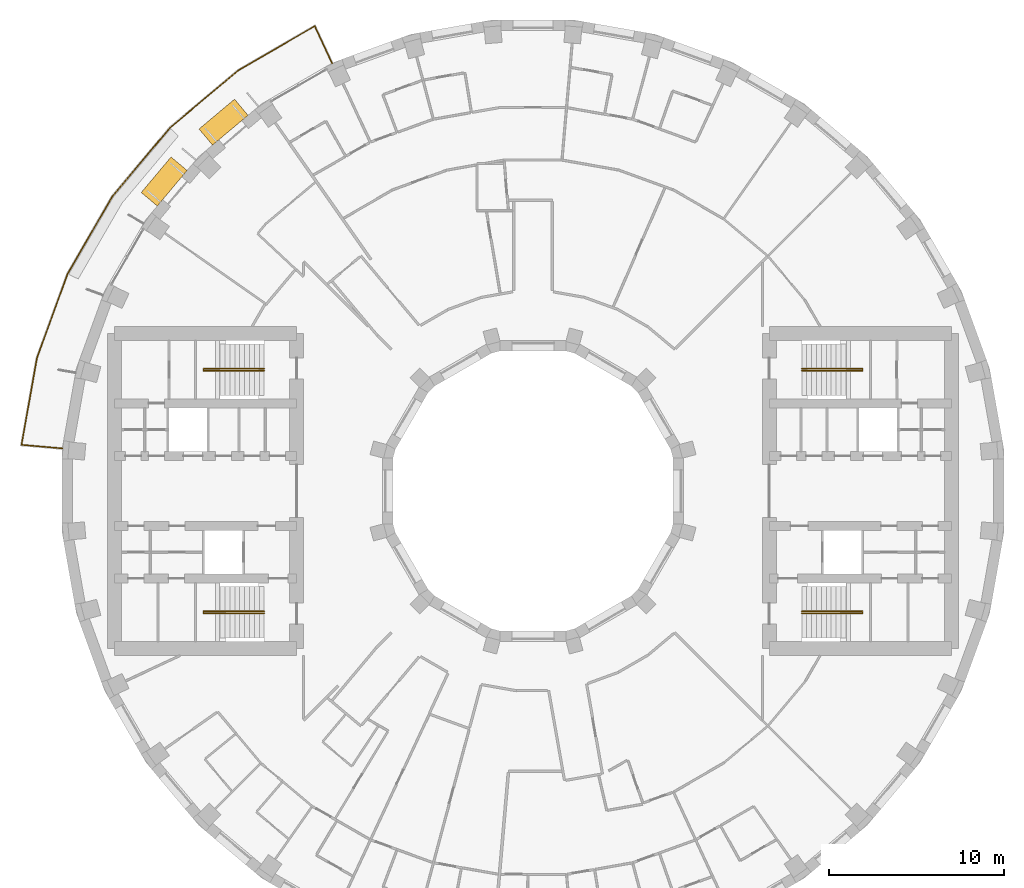
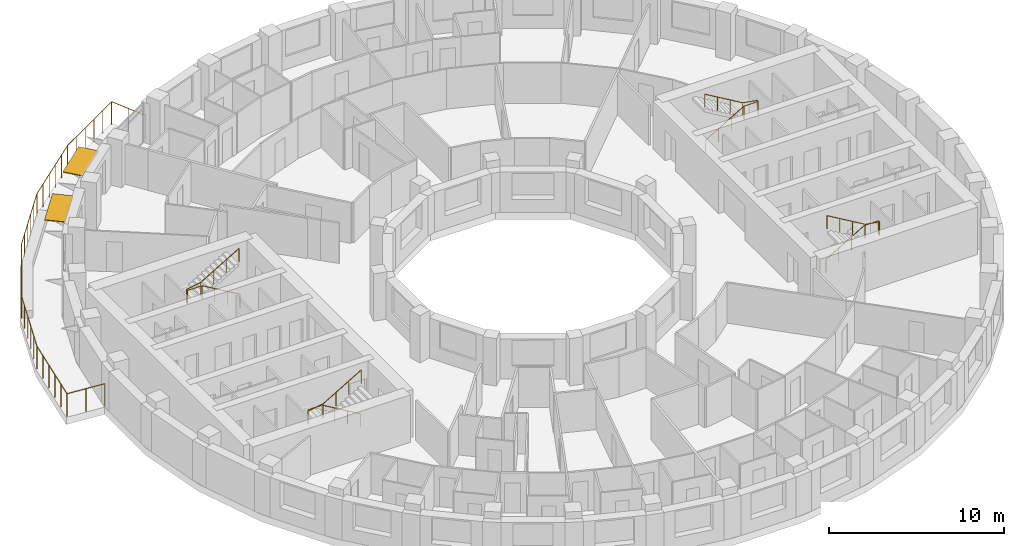
# One storey, part 14 of 14: 5 railings, 2 shading devices.
"""IFC4 building model written with IfcOpenShell, lengths in metres."""

from ifc_helpers import new_model, si_unit, direction, frame, origin, origin_2d, place, context, subcontext, project, spatial, rectangle, circle, extrude, material, layer, layer_set, type_object, element, save


model = new_model("IFC4")

# Units and contexts
model_context = context("Model", 3, precision=1e-05, world=origin(), true_north=direction((0.0, 1.0)))
body_context = subcontext(model_context, "Body", "Model", "MODEL_VIEW")
ifc_project = project(units=[si_unit("LENGTHUNIT", "METRE"), si_unit("AREAUNIT", "SQUARE_METRE"), si_unit("VOLUMEUNIT", "CUBIC_METRE"), si_unit("PLANEANGLEUNIT", "RADIAN"), si_unit("MASSUNIT", "GRAM", prefix="KILO")], contexts=[model_context])

# Site, building, storey
site_placement = place(None, origin())
site = spatial("IfcSite", under=ifc_project, at=site_placement, CompositionType="ELEMENT")
building_placement = place(site_placement, origin())
building = spatial("IfcBuilding", under=site, at=building_placement, Name="Saqina Gate Tower", CompositionType="ELEMENT")
storey_placement = place(building_placement, frame((0.0, 0.0, 105.10009765625)))
storey = spatial("IfcBuildingStorey", under=building, at=storey_placement, Name="L29", CompositionType="ELEMENT", Elevation=105.10009765625)

# Shading devices
ifc_material_1 = material(Name="Aluminium and fabric awning", Category="aluminium")
ifc_layer = layer(ifc_material_1, 0.050048828125)
ifc_layer_set = layer_set([ifc_layer], Name="AW-TERRACE")
shading_device_type = type_object("IfcShadingDeviceType", Name="AW-TERRACE", PredefinedType="AWNING", material=ifc_layer_set)
for number, where, z_axis, x_axis, name in (
    (1, (-17.6748046875, 21.064208984375, 2.52490234375), (0.0, 0.0, 1.0), (-0.766044443119, -0.642787609687, 0.0), "Terrace awning L29 facet 13"),
    (2, (-21.064208984375, 17.6748046875, 2.52490234375), (0.0, 0.0, 1.0), (-0.642787609687, -0.766044443119, 0.0), "Terrace awning L29 facet 14"),
):
    element("IfcShadingDevice", number, at=place(storey_placement, frame(where, z_axis=z_axis, x_axis=x_axis)), inside=storey, type_object=shading_device_type, Name=name, PredefinedType="AWNING", context=body_context, shape_type="SweptSolid", body=[
        extrude(rectangle(XDim=2.647705078125, YDim=1.199951171875, at=origin_2d()), origin(), (0.0, 0.0, 1.0), 0.050048828125),
    ])

# Railings
ifc_material_2 = material(Name="Stainless steel", Category="steel")
railing_type_1 = type_object("IfcRailingType", Name="RL-TERRACE", PredefinedType="GUARDRAIL", material=ifc_material_2)
railing_1_placement = place(storey_placement, frame((-11.457763671875, 24.382080078125, 0.0)))
element("IfcRailing", 3, at=railing_1_placement, inside=storey, type_object=railing_type_1, Name="Terrace guard L29", PredefinedType="GUARDRAIL", context=body_context, shape_type="SweptSolid", body=[
    extrude(circle(Radius=0.02392578125, at=origin_2d()), frame((0.0, 0.0, 1.576171875), z_axis=(-0.422600102855, 0.906316254443, 0.0), x_axis=(-0.906316254443, -0.422600102855, 0.0)), (0.0, 0.0, 1.0), 2.388916015625),
    extrude(circle(Radius=0.02392578125, at=origin_2d()), frame((-1.009521484375, 2.1650390625, 1.576171875), z_axis=(-0.86534767014, -0.501172036115, 0.0), x_axis=(0.501172036115, -0.86534767014, 0.0)), (0.0, 0.0, 1.0), 5.03271484375),
    extrude(circle(Radius=0.02392578125, at=origin_2d()), frame((-5.364501953125, -0.357177734375, 1.576171875), z_axis=(-0.766020862158, -0.642815711334, 0.0), x_axis=(0.642815711334, -0.766020862158, 0.0)), (0.0, 0.0, 1.0), 5.112548828125),
    extrude(circle(Radius=0.02392578125, at=origin_2d()), frame((-9.28076171875, -3.6435546875, 1.576171875), z_axis=(-0.642815711334, -0.766020862158, 0.0), x_axis=(0.766020862158, -0.642815711334, 0.0)), (0.0, 0.0, 1.0), 5.112548828125),
    extrude(circle(Radius=0.02392578125, at=origin_2d()), frame((-12.567138671875, -7.559814453125, 1.576171875), z_axis=(-0.500011827544, -0.866018575041, 0.0), x_axis=(0.866018575041, -0.500011827544, 0.0)), (0.0, 0.0, 1.0), 5.1123046875),
    extrude(circle(Radius=0.02392578125, at=origin_2d()), frame((-15.123291015625, -11.987060546875, 1.576171875), z_axis=(-0.342011445423, -0.939695786518, 0.0), x_axis=(0.939695786518, -0.342011445423, 0.0)), (0.0, 0.0, 1.0), 5.112548828125),
    extrude(circle(Radius=0.02392578125, at=origin_2d()), frame((-16.871826171875, -16.791259765625, 1.576171875), z_axis=(-0.174986307817, -0.984570866965, 0.0), x_axis=(0.984570866965, -0.174986307817, 0.0)), (0.0, 0.0, 1.0), 5.032470703125),
    extrude(circle(Radius=0.02392578125, at=origin_2d()), frame((-17.75244140625, -21.74609375, 1.576171875), z_axis=(0.996192497087, -0.087180896688, 0.0), x_axis=(0.087180896688, 0.996192497087, 0.0)), (0.0, 0.0, 1.0), 2.388671875),
    extrude(circle(Radius=0.02099609375, at=origin_2d()), origin(), (0.0, 0.0, 1.0), 1.552001953125),
    extrude(circle(Radius=0.02099609375, at=origin_2d()), frame((-0.5048828125, 1.08251953125, 0.0)), (0.0, 0.0, 1.0), 1.552001953125),
    extrude(circle(Radius=0.02099609375, at=origin_2d()), frame((-1.009521484375, 2.1650390625, 0.0)), (0.0, 0.0, 1.0), 1.552001953125),
    extrude(circle(Radius=0.02099609375, at=origin_2d()), frame((-1.880615234375, 1.66064453125, 0.0)), (0.0, 0.0, 1.0), 1.552001953125),
    extrude(circle(Radius=0.02099609375, at=origin_2d()), frame((-2.75146484375, 1.15625, 0.0)), (0.0, 0.0, 1.0), 1.552001953125),
    extrude(circle(Radius=0.02099609375, at=origin_2d()), frame((-3.62255859375, 0.651611328125, 0.0)), (0.0, 0.0, 1.0), 1.552001953125),
    extrude(circle(Radius=0.02099609375, at=origin_2d()), frame((-4.493408203125, 0.147216796875, 0.0)), (0.0, 0.0, 1.0), 1.552001953125),
    extrude(circle(Radius=0.02099609375, at=origin_2d()), frame((-5.364501953125, -0.357177734375, 0.0)), (0.0, 0.0, 1.0), 1.552001953125),
    extrude(circle(Radius=0.02099609375, at=origin_2d()), frame((-6.147705078125, -1.014404296875, 0.0)), (0.0, 0.0, 1.0), 1.552001953125),
    extrude(circle(Radius=0.02099609375, at=origin_2d()), frame((-6.930908203125, -1.671630859375, 0.0)), (0.0, 0.0, 1.0), 1.552001953125),
    extrude(circle(Radius=0.02099609375, at=origin_2d()), frame((-7.71435546875, -2.3291015625, 0.0)), (0.0, 0.0, 1.0), 1.552001953125),
    extrude(circle(Radius=0.02099609375, at=origin_2d()), frame((-8.49755859375, -2.986328125, 0.0)), (0.0, 0.0, 1.0), 1.552001953125),
    extrude(circle(Radius=0.02099609375, at=origin_2d()), frame((-9.28076171875, -3.6435546875, 0.0)), (0.0, 0.0, 1.0), 1.552001953125),
    extrude(circle(Radius=0.02099609375, at=origin_2d()), frame((-9.93798828125, -4.4267578125, 0.0)), (0.0, 0.0, 1.0), 1.552001953125),
    extrude(circle(Radius=0.02099609375, at=origin_2d()), frame((-10.59521484375, -5.2099609375, 0.0)), (0.0, 0.0, 1.0), 1.552001953125),
    extrude(circle(Radius=0.02099609375, at=origin_2d()), frame((-11.252685546875, -5.993408203125, 0.0)), (0.0, 0.0, 1.0), 1.552001953125),
    extrude(circle(Radius=0.02099609375, at=origin_2d()), frame((-11.909912109375, -6.776611328125, 0.0)), (0.0, 0.0, 1.0), 1.552001953125),
    extrude(circle(Radius=0.02099609375, at=origin_2d()), frame((-12.567138671875, -7.559814453125, 0.0)), (0.0, 0.0, 1.0), 1.552001953125),
    extrude(circle(Radius=0.02099609375, at=origin_2d()), frame((-13.078369140625, -8.4453125, 0.0)), (0.0, 0.0, 1.0), 1.552001953125),
    extrude(circle(Radius=0.02099609375, at=origin_2d()), frame((-13.589599609375, -9.330810546875, 0.0)), (0.0, 0.0, 1.0), 1.552001953125),
    extrude(circle(Radius=0.02099609375, at=origin_2d()), frame((-14.100830078125, -10.216064453125, 0.0)), (0.0, 0.0, 1.0), 1.552001953125),
    extrude(circle(Radius=0.02099609375, at=origin_2d()), frame((-14.612060546875, -11.1015625, 0.0)), (0.0, 0.0, 1.0), 1.552001953125),
    extrude(circle(Radius=0.02099609375, at=origin_2d()), frame((-15.123291015625, -11.987060546875, 0.0)), (0.0, 0.0, 1.0), 1.552001953125),
    extrude(circle(Radius=0.02099609375, at=origin_2d()), frame((-15.472900390625, -12.947998046875, 0.0)), (0.0, 0.0, 1.0), 1.552001953125),
    extrude(circle(Radius=0.02099609375, at=origin_2d()), frame((-15.82275390625, -13.90869140625, 0.0)), (0.0, 0.0, 1.0), 1.552001953125),
    extrude(circle(Radius=0.02099609375, at=origin_2d()), frame((-16.17236328125, -14.86962890625, 0.0)), (0.0, 0.0, 1.0), 1.552001953125),
    extrude(circle(Radius=0.02099609375, at=origin_2d()), frame((-16.522216796875, -15.830322265625, 0.0)), (0.0, 0.0, 1.0), 1.552001953125),
    extrude(circle(Radius=0.02099609375, at=origin_2d()), frame((-16.871826171875, -16.791259765625, 0.0)), (0.0, 0.0, 1.0), 1.552001953125),
    extrude(circle(Radius=0.02099609375, at=origin_2d()), frame((-17.0478515625, -17.7822265625, 0.0)), (0.0, 0.0, 1.0), 1.552001953125),
    extrude(circle(Radius=0.02099609375, at=origin_2d()), frame((-17.22412109375, -18.773193359375, 0.0)), (0.0, 0.0, 1.0), 1.552001953125),
    extrude(circle(Radius=0.02099609375, at=origin_2d()), frame((-17.400146484375, -19.76416015625, 0.0)), (0.0, 0.0, 1.0), 1.552001953125),
    extrude(circle(Radius=0.02099609375, at=origin_2d()), frame((-17.576416015625, -20.755126953125, 0.0)), (0.0, 0.0, 1.0), 1.552001953125),
    extrude(circle(Radius=0.02099609375, at=origin_2d()), frame((-17.75244140625, -21.74609375, 0.0)), (0.0, 0.0, 1.0), 1.552001953125),
    extrude(circle(Radius=0.02099609375, at=origin_2d()), frame((-16.5625, -21.85009765625, 0.0)), (0.0, 0.0, 1.0), 1.552001953125),
    extrude(circle(Radius=0.02099609375, at=origin_2d()), frame((-15.372802734375, -21.954345703125, 0.0)), (0.0, 0.0, 1.0), 1.552001953125),
])
ifc_material_3 = material(Name="Stainless steel", Category="steel")
railing_type_2 = type_object("IfcRailingType", Name="STAIR HANDRAIL", PredefinedType="HANDRAIL", material=ifc_material_3)
railing_2_placement = place(storey_placement, frame((15.35009765625, 6.86669921875, 0.164794921875)))
element("IfcRailing", 4, at=railing_2_placement, inside=storey, type_object=railing_type_2, Name="EXIT STAIR 1 HANDRAIL", PredefinedType="HANDRAIL", context=body_context, shape_type="SweptSolid", body=[
    extrude(circle(Radius=0.02392578125, at=origin_2d()), frame((0.0, 0.0, 0.92578125), z_axis=(0.86152411907, 0.0, 0.507716645641), x_axis=(0.0, 1.0, 0.0)), (0.0, 0.0, 1.0), 2.925048828125),
    extrude(circle(Radius=0.02392578125, at=origin_2d()), frame((2.52001953125, 0.0, 2.4111328125), z_axis=(1.0, 0.0, 0.0), x_axis=(0.0, 1.0, 0.0)), (0.0, 0.0, 1.0), 0.949951171875),
    extrude(circle(Radius=0.02392578125, at=origin_2d()), frame((3.469970703125, 0.0, 2.4111328125), z_axis=(0.0, 1.0, 0.0), x_axis=(-1.0, 0.0, 0.0)), (0.0, 0.0, 1.0), 0.11669921875),
    extrude(circle(Radius=0.02392578125, at=origin_2d()), frame((3.469970703125, 0.11669921875, 2.4111328125), z_axis=(-0.985241474778, 0.0, 0.171170197109), x_axis=(0.0, -1.0, 0.0)), (0.0, 0.0, 1.0), 0.964111328125),
    extrude(circle(Radius=0.02392578125, at=origin_2d()), frame((2.52001953125, 0.11669921875, 2.576171875), z_axis=(-0.861560626758, 0.0, 0.507654692109), x_axis=(0.0, -1.0, 0.0)), (0.0, 0.0, 1.0), 2.925048828125),
    extrude(circle(Radius=0.02099609375, at=origin_2d()), origin(), (0.0, 0.0, 1.0), 0.90185546875),
    extrude(circle(Radius=0.02099609375, at=origin_2d()), frame((0.840087890625, 0.0, 0.4951171875)), (0.0, 0.0, 1.0), 0.90185546875),
    extrude(circle(Radius=0.02099609375, at=origin_2d()), frame((1.679931640625, 0.0, 0.989990234375)), (0.0, 0.0, 1.0), 0.90185546875),
    extrude(circle(Radius=0.02099609375, at=origin_2d()), frame((2.52001953125, 0.0, 1.485107421875)), (0.0, 0.0, 1.0), 0.90185546875),
    extrude(circle(Radius=0.02099609375, at=origin_2d()), frame((3.469970703125, 0.0, 1.485107421875)), (0.0, 0.0, 1.0), 0.90185546875),
    extrude(circle(Radius=0.02099609375, at=origin_2d()), frame((3.469970703125, 0.11669921875, 1.485107421875)), (0.0, 0.0, 1.0), 0.90185546875),
    extrude(circle(Radius=0.02099609375, at=origin_2d()), frame((2.52001953125, 0.11669921875, 1.650146484375)), (0.0, 0.0, 1.0), 0.90185546875),
    extrude(circle(Radius=0.02099609375, at=origin_2d()), frame((1.679931640625, 0.11669921875, 2.14501953125)), (0.0, 0.0, 1.0), 0.90185546875),
    extrude(circle(Radius=0.02099609375, at=origin_2d()), frame((0.840087890625, 0.11669921875, 2.64013671875)), (0.0, 0.0, 1.0), 0.90185546875),
    extrude(circle(Radius=0.02099609375, at=origin_2d()), frame((0.0, 0.11669921875, 3.135009765625)), (0.0, 0.0, 1.0), 0.90185546875),
])
railing_3_placement = place(storey_placement, frame((15.35009765625, -6.86669921875, 0.164794921875)))
element("IfcRailing", 5, at=railing_3_placement, inside=storey, type_object=railing_type_2, Name="EXIT STAIR 2 HANDRAIL", PredefinedType="HANDRAIL", context=body_context, shape_type="SweptSolid", body=[
    extrude(circle(Radius=0.02392578125, at=origin_2d()), frame((0.0, 0.0, 0.92578125), z_axis=(0.86152411907, 0.0, 0.507716645641), x_axis=(0.0, 1.0, 0.0)), (0.0, 0.0, 1.0), 2.925048828125),
    extrude(circle(Radius=0.02392578125, at=origin_2d()), frame((2.52001953125, 0.0, 2.4111328125), z_axis=(1.0, 0.0, 0.0), x_axis=(0.0, 1.0, 0.0)), (0.0, 0.0, 1.0), 0.949951171875),
    extrude(circle(Radius=0.02392578125, at=origin_2d()), frame((3.469970703125, 0.0, 2.4111328125), z_axis=(0.0, -1.0, 0.0), x_axis=(1.0, 0.0, 0.0)), (0.0, 0.0, 1.0), 0.11669921875),
    extrude(circle(Radius=0.02392578125, at=origin_2d()), frame((3.469970703125, -0.11669921875, 2.4111328125), z_axis=(-0.985241474778, 0.0, 0.171170197109), x_axis=(0.0, -1.0, 0.0)), (0.0, 0.0, 1.0), 0.964111328125),
    extrude(circle(Radius=0.02392578125, at=origin_2d()), frame((2.52001953125, -0.11669921875, 2.576171875), z_axis=(-0.861560626758, 0.0, 0.507654692109), x_axis=(0.0, -1.0, 0.0)), (0.0, 0.0, 1.0), 2.925048828125),
    extrude(circle(Radius=0.02099609375, at=origin_2d()), origin(), (0.0, 0.0, 1.0), 0.90185546875),
    extrude(circle(Radius=0.02099609375, at=origin_2d()), frame((0.840087890625, 0.0, 0.4951171875)), (0.0, 0.0, 1.0), 0.90185546875),
    extrude(circle(Radius=0.02099609375, at=origin_2d()), frame((1.679931640625, 0.0, 0.989990234375)), (0.0, 0.0, 1.0), 0.90185546875),
    extrude(circle(Radius=0.02099609375, at=origin_2d()), frame((2.52001953125, 0.0, 1.485107421875)), (0.0, 0.0, 1.0), 0.90185546875),
    extrude(circle(Radius=0.02099609375, at=origin_2d()), frame((3.469970703125, 0.0, 1.485107421875)), (0.0, 0.0, 1.0), 0.90185546875),
    extrude(circle(Radius=0.02099609375, at=origin_2d()), frame((3.469970703125, -0.11669921875, 1.485107421875)), (0.0, 0.0, 1.0), 0.90185546875),
    extrude(circle(Radius=0.02099609375, at=origin_2d()), frame((2.52001953125, -0.11669921875, 1.650146484375)), (0.0, 0.0, 1.0), 0.90185546875),
    extrude(circle(Radius=0.02099609375, at=origin_2d()), frame((1.679931640625, -0.11669921875, 2.14501953125)), (0.0, 0.0, 1.0), 0.90185546875),
    extrude(circle(Radius=0.02099609375, at=origin_2d()), frame((0.840087890625, -0.11669921875, 2.64013671875)), (0.0, 0.0, 1.0), 0.90185546875),
    extrude(circle(Radius=0.02099609375, at=origin_2d()), frame((0.0, -0.11669921875, 3.135009765625)), (0.0, 0.0, 1.0), 0.90185546875),
])
railing_4_placement = place(storey_placement, frame((-15.35009765625, 6.86669921875, 0.164794921875)))
element("IfcRailing", 6, at=railing_4_placement, inside=storey, type_object=railing_type_2, Name="EXIT STAIR 3 HANDRAIL", PredefinedType="HANDRAIL", context=body_context, shape_type="SweptSolid", body=[
    extrude(circle(Radius=0.02392578125, at=origin_2d()), frame((0.0, 0.0, 0.92578125), z_axis=(-0.86152411907, 0.0, 0.507716645641), x_axis=(0.0, -1.0, 0.0)), (0.0, 0.0, 1.0), 2.925048828125),
    extrude(circle(Radius=0.02392578125, at=origin_2d()), frame((-2.52001953125, 0.0, 2.4111328125), z_axis=(-1.0, 0.0, 0.0), x_axis=(0.0, -1.0, 0.0)), (0.0, 0.0, 1.0), 0.949951171875),
    extrude(circle(Radius=0.02392578125, at=origin_2d()), frame((-3.469970703125, 0.0, 2.4111328125), z_axis=(0.0, 1.0, 0.0), x_axis=(-1.0, 0.0, 0.0)), (0.0, 0.0, 1.0), 0.11669921875),
    extrude(circle(Radius=0.02392578125, at=origin_2d()), frame((-3.469970703125, 0.11669921875, 2.4111328125), z_axis=(0.985241474778, 0.0, 0.171170197109), x_axis=(0.0, 1.0, 0.0)), (0.0, 0.0, 1.0), 0.964111328125),
    extrude(circle(Radius=0.02392578125, at=origin_2d()), frame((-2.52001953125, 0.11669921875, 2.576171875), z_axis=(0.861560626758, 0.0, 0.507654692109), x_axis=(0.0, 1.0, 0.0)), (0.0, 0.0, 1.0), 2.925048828125),
    extrude(circle(Radius=0.02099609375, at=origin_2d()), origin(), (0.0, 0.0, 1.0), 0.90185546875),
    extrude(circle(Radius=0.02099609375, at=origin_2d()), frame((-0.840087890625, 0.0, 0.4951171875)), (0.0, 0.0, 1.0), 0.90185546875),
    extrude(circle(Radius=0.02099609375, at=origin_2d()), frame((-1.679931640625, 0.0, 0.989990234375)), (0.0, 0.0, 1.0), 0.90185546875),
    extrude(circle(Radius=0.02099609375, at=origin_2d()), frame((-2.52001953125, 0.0, 1.485107421875)), (0.0, 0.0, 1.0), 0.90185546875),
    extrude(circle(Radius=0.02099609375, at=origin_2d()), frame((-3.469970703125, 0.0, 1.485107421875)), (0.0, 0.0, 1.0), 0.90185546875),
    extrude(circle(Radius=0.02099609375, at=origin_2d()), frame((-3.469970703125, 0.11669921875, 1.485107421875)), (0.0, 0.0, 1.0), 0.90185546875),
    extrude(circle(Radius=0.02099609375, at=origin_2d()), frame((-2.52001953125, 0.11669921875, 1.650146484375)), (0.0, 0.0, 1.0), 0.90185546875),
    extrude(circle(Radius=0.02099609375, at=origin_2d()), frame((-1.679931640625, 0.11669921875, 2.14501953125)), (0.0, 0.0, 1.0), 0.90185546875),
    extrude(circle(Radius=0.02099609375, at=origin_2d()), frame((-0.840087890625, 0.11669921875, 2.64013671875)), (0.0, 0.0, 1.0), 0.90185546875),
    extrude(circle(Radius=0.02099609375, at=origin_2d()), frame((0.0, 0.11669921875, 3.135009765625)), (0.0, 0.0, 1.0), 0.90185546875),
])
railing_5_placement = place(storey_placement, frame((-15.35009765625, -6.86669921875, 0.164794921875)))
element("IfcRailing", 7, at=railing_5_placement, inside=storey, type_object=railing_type_2, Name="EXIT STAIR 4 HANDRAIL", PredefinedType="HANDRAIL", context=body_context, shape_type="SweptSolid", body=[
    extrude(circle(Radius=0.02392578125, at=origin_2d()), frame((0.0, 0.0, 0.92578125), z_axis=(-0.86152411907, 0.0, 0.507716645641), x_axis=(0.0, -1.0, 0.0)), (0.0, 0.0, 1.0), 2.925048828125),
    extrude(circle(Radius=0.02392578125, at=origin_2d()), frame((-2.52001953125, 0.0, 2.4111328125), z_axis=(-1.0, 0.0, 0.0), x_axis=(0.0, -1.0, 0.0)), (0.0, 0.0, 1.0), 0.949951171875),
    extrude(circle(Radius=0.02392578125, at=origin_2d()), frame((-3.469970703125, 0.0, 2.4111328125), z_axis=(0.0, -1.0, 0.0), x_axis=(1.0, 0.0, 0.0)), (0.0, 0.0, 1.0), 0.11669921875),
    extrude(circle(Radius=0.02392578125, at=origin_2d()), frame((-3.469970703125, -0.11669921875, 2.4111328125), z_axis=(0.985241474778, 0.0, 0.171170197109), x_axis=(0.0, 1.0, 0.0)), (0.0, 0.0, 1.0), 0.964111328125),
    extrude(circle(Radius=0.02392578125, at=origin_2d()), frame((-2.52001953125, -0.11669921875, 2.576171875), z_axis=(0.861560626758, 0.0, 0.507654692109), x_axis=(0.0, 1.0, 0.0)), (0.0, 0.0, 1.0), 2.925048828125),
    extrude(circle(Radius=0.02099609375, at=origin_2d()), origin(), (0.0, 0.0, 1.0), 0.90185546875),
    extrude(circle(Radius=0.02099609375, at=origin_2d()), frame((-0.840087890625, 0.0, 0.4951171875)), (0.0, 0.0, 1.0), 0.90185546875),
    extrude(circle(Radius=0.02099609375, at=origin_2d()), frame((-1.679931640625, 0.0, 0.989990234375)), (0.0, 0.0, 1.0), 0.90185546875),
    extrude(circle(Radius=0.02099609375, at=origin_2d()), frame((-2.52001953125, 0.0, 1.485107421875)), (0.0, 0.0, 1.0), 0.90185546875),
    extrude(circle(Radius=0.02099609375, at=origin_2d()), frame((-3.469970703125, 0.0, 1.485107421875)), (0.0, 0.0, 1.0), 0.90185546875),
    extrude(circle(Radius=0.02099609375, at=origin_2d()), frame((-3.469970703125, -0.11669921875, 1.485107421875)), (0.0, 0.0, 1.0), 0.90185546875),
    extrude(circle(Radius=0.02099609375, at=origin_2d()), frame((-2.52001953125, -0.11669921875, 1.650146484375)), (0.0, 0.0, 1.0), 0.90185546875),
    extrude(circle(Radius=0.02099609375, at=origin_2d()), frame((-1.679931640625, -0.11669921875, 2.14501953125)), (0.0, 0.0, 1.0), 0.90185546875),
    extrude(circle(Radius=0.02099609375, at=origin_2d()), frame((-0.840087890625, -0.11669921875, 2.64013671875)), (0.0, 0.0, 1.0), 0.90185546875),
    extrude(circle(Radius=0.02099609375, at=origin_2d()), frame((0.0, -0.11669921875, 3.135009765625)), (0.0, 0.0, 1.0), 0.90185546875),
])

save(model, "model.ifc")
